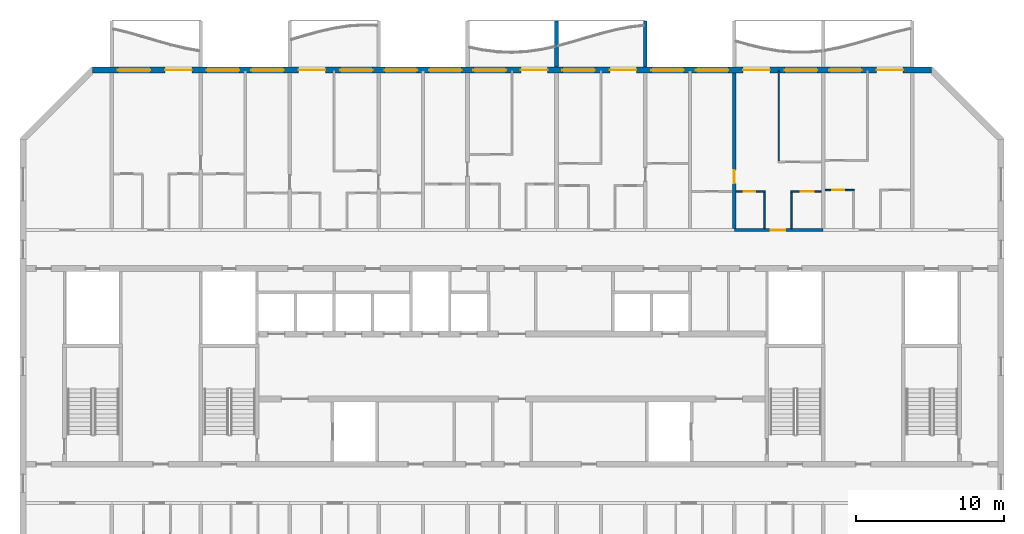
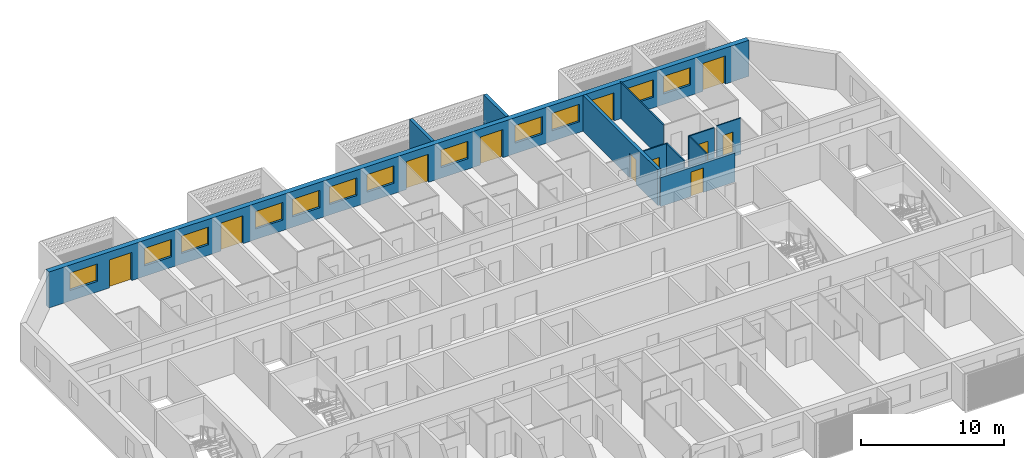
# One storey, part 10 of 26: 12 windows, 11 doors, 11 walls, 23 openings.
"""IFC4 building model written with IfcOpenShell, lengths in metres."""

from ifc_helpers import new_model, si_unit, direction, frame, frame_2d, origin, place, context, subcontext, project, spatial, polyline, rectangle, outline, extrude, source, transform, mapped, material, layer, layer_set, type_object, element, fill, save


model = new_model("IFC4")

# Units and contexts
model_context = context("Model", 3, precision=1e-05, world=origin(), true_north=direction((0.0, 1.0)))
body_context = subcontext(model_context, "Body", "Model", "MODEL_VIEW")
ifc_project = project(units=[si_unit("LENGTHUNIT", "METRE"), si_unit("AREAUNIT", "SQUARE_METRE"), si_unit("VOLUMEUNIT", "CUBIC_METRE"), si_unit("PLANEANGLEUNIT", "RADIAN"), si_unit("MASSUNIT", "GRAM", prefix="KILO")], contexts=[model_context])

# Site, building, storey
site_placement = place(None, origin())
site = spatial("IfcSite", under=ifc_project, at=site_placement, CompositionType="ELEMENT")
building_placement = place(site_placement, origin())
building = spatial("IfcBuilding", under=site, at=building_placement, Name="Poui Terraces", CompositionType="ELEMENT")
storey_placement = place(building_placement, frame((0.0, 0.0, 175.199951171875)))
storey = spatial("IfcBuildingStorey", under=building, at=storey_placement, Name="L48", CompositionType="ELEMENT", Elevation=175.199951171875)

# Wall, opening, door
ifc_material_1 = material(Name="Concrete 50 MPa", Category="concrete")
ifc_layer_1 = layer(ifc_material_1, 0.199951171875)
ifc_layer_set_1 = layer_set([ifc_layer_1], Name="Concrete 50 MPa")
wall_type_1 = type_object("IfcWallType", Name="CORRIDOR WALL 200 50MPa", PredefinedType="SHEAR", material=ifc_layer_set_1)
wall_1_placement = place(storey_placement, frame((66.0, 30.39990234375, 0.0), z_axis=(0.0, 0.0, 1.0), x_axis=(1.0, 0.0, 0.0)))
wall_1 = element("IfcWall", 1, at=wall_1_placement, inside=storey, type_object=wall_type_1, Name="CORRIDOR WALL LINE E BAY 9", PredefinedType="SHEAR", context=body_context, shape_type="SweptSolid", body=[
    extrude(rectangle(XDim=6.0, YDim=0.199951171875, at=frame_2d((3.0, 0.0))), origin(), (0.0, 0.0, 1.0), 2.47998046875),
])
opening_1_placement = place(wall_1_placement, frame((2.449951171875, 0.0, 0.0)))
opening_1 = element("IfcOpeningElement", 2, at=opening_1_placement, cuts=wall_1, Name="Opening FD30S", PredefinedType="OPENING", context=body_context, shape_type="SweptSolid", body=[
    extrude(rectangle(XDim=1.0, YDim=2.10009765625, at=frame_2d((0.5, 1.050048828125))), frame((0.0, 0.10986328125, 0.0), z_axis=(0.0, -1.0, 0.0), x_axis=(1.0, 0.0, 0.0)), (0.0, 0.0, 1.0), 0.219970703125),
])
ifc_material_2 = material(Name="Steel fire door", Category="steel")
door_type_1 = type_object("IfcDoorType", Name="FLAT ENTRANCE DOOR 1000 X 2100", OperationType="NOTDEFINED", PredefinedType="DOOR", material=ifc_material_2)
door_1_placement = place(opening_1_placement, origin())
door_1 = element("IfcDoor", 3, at=door_1_placement, inside=storey, type_object=door_type_1, Name="FLAT ENTRANCE DOOR 054", OperationType="SINGLE_SWING_LEFT", OverallHeight=2.10009765625, OverallWidth=1.0, PredefinedType="DOOR", context=body_context, shape_type="SweptSolid", body=[
    extrude(rectangle(XDim=1.0, YDim=2.10009765625, at=frame_2d((0.5, 1.050048828125))), frame((0.0, 0.02490234375, 0.0), z_axis=(0.0, -1.0, 0.0), x_axis=(1.0, 0.0, 0.0)), (0.0, 0.0, 1.0), 0.050048828125),
])
fill(opening_1, door_1)

ifc_layer_2 = layer(ifc_material_1, 0.25)
ifc_layer_set_2 = layer_set([ifc_layer_2], Name="Concrete 50 MPa")
wall_type_2 = type_object("IfcWallType", Name="CROSS WALL 250 50MPa", PredefinedType="SHEAR", material=ifc_layer_set_2)
wall_2_placement = place(storey_placement, frame((66.0, 30.5, 0.0), z_axis=(0.0, 0.0, 1.0), x_axis=(0.0, 1.0, 0.0)))
wall_2 = element("IfcWall", 4, at=wall_2_placement, inside=storey, type_object=wall_type_2, Name="CROSS WALL LINE 12 NORTH", PredefinedType="SHEAR", context=body_context, shape_type="SweptSolid", body=[
    extrude(rectangle(XDim=10.5, YDim=0.25, at=frame_2d((5.25, 0.0))), origin(), (0.0, 0.0, 1.0), 3.080078125),
])
opening_2_placement = place(wall_2_placement, frame((3.050048828125, 0.0, 0.0)))
opening_2 = element("IfcOpeningElement", 5, at=opening_2_placement, cuts=wall_2, Name="Opening D90", PredefinedType="OPENING", context=body_context, shape_type="SweptSolid", body=[
    extrude(rectangle(XDim=0.89990234375, YDim=2.10009765625, at=frame_2d((0.449951171875, 1.050048828125))), frame((0.0, 0.135009765625, 0.0), z_axis=(0.0, -1.0, 0.0), x_axis=(1.0, 0.0, 0.0)), (0.0, 0.0, 1.0), 0.27001953125),
])
ifc_material_3 = material(Name="Solid core timber door", Category="wood")
door_type_2 = type_object("IfcDoorType", Name="INTERNAL DOOR 900 X 2100", OperationType="NOTDEFINED", PredefinedType="DOOR", material=ifc_material_3)
door_2_placement = place(opening_2_placement, origin())
door_2 = element("IfcDoor", 6, at=door_2_placement, inside=storey, type_object=door_type_2, Name="INTERNAL DOOR 052", OperationType="SINGLE_SWING_LEFT", OverallHeight=2.10009765625, OverallWidth=0.89990234375, PredefinedType="DOOR", context=body_context, shape_type="SweptSolid", body=[
    extrude(rectangle(XDim=0.89990234375, YDim=2.10009765625, at=frame_2d((0.449951171875, 1.050048828125))), frame((0.0, 0.02490234375, 0.0), z_axis=(0.0, -1.0, 0.0), x_axis=(1.0, 0.0, 0.0)), (0.0, 0.0, 1.0), 0.050048828125),
])
fill(opening_2, door_2)

# Wall, openings, doors, windows
ifc_material_4 = material(Name="Precast concrete 40 MPa", Category="concrete")
ifc_layer_3 = layer(ifc_material_4, 0.39990234375)
ifc_layer_set_3 = layer_set([ifc_layer_3], Name="Precast concrete 40 MPa")
wall_type_3 = type_object("IfcWallType", Name="EXTERNAL WALL 400", PredefinedType="STANDARD", material=ifc_layer_set_3)
wall_3_placement = place(storey_placement, frame((79.317138671875, 41.199951171875, 0.0), z_axis=(0.0, 0.0, 1.0), x_axis=(-1.0, 0.0, 0.0)))
wall_3 = element("IfcWall", 7, at=wall_3_placement, inside=storey, type_object=wall_type_3, Name="EXTERNAL WALL N", PredefinedType="STANDARD", context=body_context, shape_type="SweptSolid", body=[
    extrude(rectangle(XDim=56.63427734375, YDim=0.39990234375, at=frame_2d((28.317138671875, 0.0))), origin(), (0.0, 0.0, 1.0), 3.080078125),
])
opening_3_placement = place(wall_3_placement, frame((52.71728515625, 0.0, 0.89990234375)))
opening_3 = element("IfcOpeningElement", 8, at=opening_3_placement, cuts=wall_3, Name="Opening W1", PredefinedType="OPENING", context=body_context, shape_type="SweptSolid", body=[
    extrude(rectangle(XDim=2.199951171875, YDim=1.5, at=frame_2d((1.10009765625, 0.75))), frame((0.0, 0.2099609375, 0.0), z_axis=(0.0, -1.0, 0.0), x_axis=(1.0, 0.0, 0.0)), (0.0, 0.0, 1.0), 0.419921875),
])
opening_4_placement = place(wall_3_placement, frame((49.917236328125, 0.0, 0.0)))
opening_4 = element("IfcOpeningElement", 9, at=opening_4_placement, cuts=wall_3, Name="Opening BD1", PredefinedType="OPENING", context=body_context, shape_type="SweptSolid", body=[
    extrude(rectangle(XDim=1.800048828125, YDim=2.39990234375, at=frame_2d((0.89990234375, 1.199951171875))), frame((0.0, 0.2099609375, 0.0), z_axis=(0.0, -1.0, 0.0), x_axis=(1.0, 0.0, 0.0)), (0.0, 0.0, 1.0), 0.419921875),
])
opening_5_placement = place(wall_3_placement, frame((46.71728515625, 0.0, 0.89990234375)))
opening_5 = element("IfcOpeningElement", 10, at=opening_5_placement, cuts=wall_3, Name="Opening W1", PredefinedType="OPENING", context=body_context, shape_type="SweptSolid", body=[
    extrude(rectangle(XDim=2.199951171875, YDim=1.5, at=frame_2d((1.10009765625, 0.75))), frame((0.0, 0.2099609375, 0.0), z_axis=(0.0, -1.0, 0.0), x_axis=(1.0, 0.0, 0.0)), (0.0, 0.0, 1.0), 0.419921875),
])
opening_6_placement = place(wall_3_placement, frame((43.71728515625, 0.0, 0.89990234375)))
opening_6 = element("IfcOpeningElement", 11, at=opening_6_placement, cuts=wall_3, Name="Opening W1", PredefinedType="OPENING", context=body_context, shape_type="SweptSolid", body=[
    extrude(rectangle(XDim=2.199951171875, YDim=1.5, at=frame_2d((1.10009765625, 0.75))), frame((0.0, 0.2099609375, 0.0), z_axis=(0.0, -1.0, 0.0), x_axis=(1.0, 0.0, 0.0)), (0.0, 0.0, 1.0), 0.419921875),
])
opening_7_placement = place(wall_3_placement, frame((40.917236328125, 0.0, 0.0)))
opening_7 = element("IfcOpeningElement", 12, at=opening_7_placement, cuts=wall_3, Name="Opening BD1", PredefinedType="OPENING", context=body_context, shape_type="SweptSolid", body=[
    extrude(rectangle(XDim=1.800048828125, YDim=2.39990234375, at=frame_2d((0.89990234375, 1.199951171875))), frame((0.0, 0.2099609375, 0.0), z_axis=(0.0, -1.0, 0.0), x_axis=(1.0, 0.0, 0.0)), (0.0, 0.0, 1.0), 0.419921875),
])
opening_8_placement = place(wall_3_placement, frame((37.71728515625, 0.0, 0.89990234375)))
opening_8 = element("IfcOpeningElement", 13, at=opening_8_placement, cuts=wall_3, Name="Opening W1", PredefinedType="OPENING", context=body_context, shape_type="SweptSolid", body=[
    extrude(rectangle(XDim=2.199951171875, YDim=1.5, at=frame_2d((1.10009765625, 0.75))), frame((0.0, 0.2099609375, 0.0), z_axis=(0.0, -1.0, 0.0), x_axis=(1.0, 0.0, 0.0)), (0.0, 0.0, 1.0), 0.419921875),
])
opening_9_placement = place(wall_3_placement, frame((34.71728515625, 0.0, 0.89990234375)))
opening_9 = element("IfcOpeningElement", 14, at=opening_9_placement, cuts=wall_3, Name="Opening W1", PredefinedType="OPENING", context=body_context, shape_type="SweptSolid", body=[
    extrude(rectangle(XDim=2.199951171875, YDim=1.5, at=frame_2d((1.10009765625, 0.75))), frame((0.0, 0.2099609375, 0.0), z_axis=(0.0, -1.0, 0.0), x_axis=(1.0, 0.0, 0.0)), (0.0, 0.0, 1.0), 0.419921875),
])
opening_10_placement = place(wall_3_placement, frame((31.71728515625, 0.0, 0.89990234375)))
opening_10 = element("IfcOpeningElement", 15, at=opening_10_placement, cuts=wall_3, Name="Opening W1", PredefinedType="OPENING", context=body_context, shape_type="SweptSolid", body=[
    extrude(rectangle(XDim=2.199951171875, YDim=1.5, at=frame_2d((1.10009765625, 0.75))), frame((0.0, 0.2099609375, 0.0), z_axis=(0.0, -1.0, 0.0), x_axis=(1.0, 0.0, 0.0)), (0.0, 0.0, 1.0), 0.419921875),
])
opening_11_placement = place(wall_3_placement, frame((28.71728515625, 0.0, 0.89990234375)))
opening_11 = element("IfcOpeningElement", 16, at=opening_11_placement, cuts=wall_3, Name="Opening W1", PredefinedType="OPENING", context=body_context, shape_type="SweptSolid", body=[
    extrude(rectangle(XDim=2.199951171875, YDim=1.5, at=frame_2d((1.10009765625, 0.75))), frame((0.0, 0.2099609375, 0.0), z_axis=(0.0, -1.0, 0.0), x_axis=(1.0, 0.0, 0.0)), (0.0, 0.0, 1.0), 0.419921875),
])
opening_12_placement = place(wall_3_placement, frame((25.917236328125, 0.0, 0.0)))
opening_12 = element("IfcOpeningElement", 17, at=opening_12_placement, cuts=wall_3, Name="Opening BD1", PredefinedType="OPENING", context=body_context, shape_type="SweptSolid", body=[
    extrude(rectangle(XDim=1.800048828125, YDim=2.39990234375, at=frame_2d((0.89990234375, 1.199951171875))), frame((0.0, 0.2099609375, 0.0), z_axis=(0.0, -1.0, 0.0), x_axis=(1.0, 0.0, 0.0)), (0.0, 0.0, 1.0), 0.419921875),
])
opening_13_placement = place(wall_3_placement, frame((22.71728515625, 0.0, 0.89990234375)))
opening_13 = element("IfcOpeningElement", 18, at=opening_13_placement, cuts=wall_3, Name="Opening W1", PredefinedType="OPENING", context=body_context, shape_type="SweptSolid", body=[
    extrude(rectangle(XDim=2.199951171875, YDim=1.5, at=frame_2d((1.10009765625, 0.75))), frame((0.0, 0.2099609375, 0.0), z_axis=(0.0, -1.0, 0.0), x_axis=(1.0, 0.0, 0.0)), (0.0, 0.0, 1.0), 0.419921875),
])
opening_14_placement = place(wall_3_placement, frame((19.917236328125, 0.0, 0.0)))
opening_14 = element("IfcOpeningElement", 19, at=opening_14_placement, cuts=wall_3, Name="Opening BD1", PredefinedType="OPENING", context=body_context, shape_type="SweptSolid", body=[
    extrude(rectangle(XDim=1.800048828125, YDim=2.39990234375, at=frame_2d((0.89990234375, 1.199951171875))), frame((0.0, 0.2099609375, 0.0), z_axis=(0.0, -1.0, 0.0), x_axis=(1.0, 0.0, 0.0)), (0.0, 0.0, 1.0), 0.419921875),
])
opening_15_placement = place(wall_3_placement, frame((16.71728515625, 0.0, 0.89990234375)))
opening_15 = element("IfcOpeningElement", 20, at=opening_15_placement, cuts=wall_3, Name="Opening W1", PredefinedType="OPENING", context=body_context, shape_type="SweptSolid", body=[
    extrude(rectangle(XDim=2.199951171875, YDim=1.5, at=frame_2d((1.10009765625, 0.75))), frame((0.0, 0.2099609375, 0.0), z_axis=(0.0, -1.0, 0.0), x_axis=(1.0, 0.0, 0.0)), (0.0, 0.0, 1.0), 0.419921875),
])
opening_16_placement = place(wall_3_placement, frame((13.71728515625, 0.0, 0.89990234375)))
opening_16 = element("IfcOpeningElement", 21, at=opening_16_placement, cuts=wall_3, Name="Opening W1", PredefinedType="OPENING", context=body_context, shape_type="SweptSolid", body=[
    extrude(rectangle(XDim=2.199951171875, YDim=1.5, at=frame_2d((1.10009765625, 0.75))), frame((0.0, 0.2099609375, 0.0), z_axis=(0.0, -1.0, 0.0), x_axis=(1.0, 0.0, 0.0)), (0.0, 0.0, 1.0), 0.419921875),
])
opening_17_placement = place(wall_3_placement, frame((10.917236328125, 0.0, 0.0)))
opening_17 = element("IfcOpeningElement", 22, at=opening_17_placement, cuts=wall_3, Name="Opening BD1", PredefinedType="OPENING", context=body_context, shape_type="SweptSolid", body=[
    extrude(rectangle(XDim=1.800048828125, YDim=2.39990234375, at=frame_2d((0.89990234375, 1.199951171875))), frame((0.0, 0.2099609375, 0.0), z_axis=(0.0, -1.0, 0.0), x_axis=(1.0, 0.0, 0.0)), (0.0, 0.0, 1.0), 0.419921875),
])
opening_18_placement = place(wall_3_placement, frame((7.71728515625, 0.0, 0.89990234375)))
opening_18 = element("IfcOpeningElement", 23, at=opening_18_placement, cuts=wall_3, Name="Opening W1", PredefinedType="OPENING", context=body_context, shape_type="SweptSolid", body=[
    extrude(rectangle(XDim=2.199951171875, YDim=1.5, at=frame_2d((1.10009765625, 0.75))), frame((0.0, 0.2099609375, 0.0), z_axis=(0.0, -1.0, 0.0), x_axis=(1.0, 0.0, 0.0)), (0.0, 0.0, 1.0), 0.419921875),
])
opening_19_placement = place(wall_3_placement, frame((4.71728515625, 0.0, 0.89990234375)))
opening_19 = element("IfcOpeningElement", 24, at=opening_19_placement, cuts=wall_3, Name="Opening W1", PredefinedType="OPENING", context=body_context, shape_type="SweptSolid", body=[
    extrude(rectangle(XDim=2.199951171875, YDim=1.5, at=frame_2d((1.10009765625, 0.75))), frame((0.0, 0.2099609375, 0.0), z_axis=(0.0, -1.0, 0.0), x_axis=(1.0, 0.0, 0.0)), (0.0, 0.0, 1.0), 0.419921875),
])
opening_20_placement = place(wall_3_placement, frame((1.917236328125, 0.0, 0.0)))
opening_20 = element("IfcOpeningElement", 25, at=opening_20_placement, cuts=wall_3, Name="Opening BD1", PredefinedType="OPENING", context=body_context, shape_type="SweptSolid", body=[
    extrude(rectangle(XDim=1.800048828125, YDim=2.39990234375, at=frame_2d((0.89990234375, 1.199951171875))), frame((0.0, 0.2099609375, 0.0), z_axis=(0.0, -1.0, 0.0), x_axis=(1.0, 0.0, 0.0)), (0.0, 0.0, 1.0), 0.419921875),
])
ifc_material_5 = material(Name="Clear glass in aluminium frame", Category="aluminium")
door_type_3 = type_object("IfcDoorType", Name="BALCONY DOOR 1800X2400", OperationType="DOUBLE_DOOR_SLIDING", PredefinedType="DOOR", material=ifc_material_5)
door_3_placement = place(opening_4_placement, origin())
door_3 = element("IfcDoor", 26, at=door_3_placement, inside=storey, type_object=door_type_3, Name="BD1 BALCONY DOOR", OperationType="DOUBLE_DOOR_SLIDING", OverallHeight=2.39990234375, OverallWidth=1.800048828125, PredefinedType="DOOR", context=body_context, shape_type="SweptSolid", body=[
    extrude(rectangle(XDim=1.800048828125, YDim=2.39990234375, at=frame_2d((0.89990234375, 1.199951171875))), frame((0.0, 0.02490234375, 0.0), z_axis=(0.0, -1.0, 0.0), x_axis=(1.0, 0.0, 0.0)), (0.0, 0.0, 1.0), 0.050048828125),
])
fill(opening_4, door_3)
door_4_placement = place(opening_7_placement, origin())
door_4 = element("IfcDoor", 27, at=door_4_placement, inside=storey, type_object=door_type_3, Name="BD1 BALCONY DOOR", OperationType="DOUBLE_DOOR_SLIDING", OverallHeight=2.39990234375, OverallWidth=1.800048828125, PredefinedType="DOOR", context=body_context, shape_type="SweptSolid", body=[
    extrude(rectangle(XDim=1.800048828125, YDim=2.39990234375, at=frame_2d((0.89990234375, 1.199951171875))), frame((0.0, 0.02490234375, 0.0), z_axis=(0.0, -1.0, 0.0), x_axis=(1.0, 0.0, 0.0)), (0.0, 0.0, 1.0), 0.050048828125),
])
fill(opening_7, door_4)
door_5_placement = place(opening_12_placement, origin())
door_5 = element("IfcDoor", 28, at=door_5_placement, inside=storey, type_object=door_type_3, Name="BD1 BALCONY DOOR", OperationType="DOUBLE_DOOR_SLIDING", OverallHeight=2.39990234375, OverallWidth=1.800048828125, PredefinedType="DOOR", context=body_context, shape_type="SweptSolid", body=[
    extrude(rectangle(XDim=1.800048828125, YDim=2.39990234375, at=frame_2d((0.89990234375, 1.199951171875))), frame((0.0, 0.02490234375, 0.0), z_axis=(0.0, -1.0, 0.0), x_axis=(1.0, 0.0, 0.0)), (0.0, 0.0, 1.0), 0.050048828125),
])
fill(opening_12, door_5)
door_6_placement = place(opening_14_placement, origin())
door_6 = element("IfcDoor", 29, at=door_6_placement, inside=storey, type_object=door_type_3, Name="BD1 BALCONY DOOR", OperationType="DOUBLE_DOOR_SLIDING", OverallHeight=2.39990234375, OverallWidth=1.800048828125, PredefinedType="DOOR", context=body_context, shape_type="SweptSolid", body=[
    extrude(rectangle(XDim=1.800048828125, YDim=2.39990234375, at=frame_2d((0.89990234375, 1.199951171875))), frame((0.0, 0.02490234375, 0.0), z_axis=(0.0, -1.0, 0.0), x_axis=(1.0, 0.0, 0.0)), (0.0, 0.0, 1.0), 0.050048828125),
])
fill(opening_14, door_6)
door_7_placement = place(opening_17_placement, origin())
door_7 = element("IfcDoor", 30, at=door_7_placement, inside=storey, type_object=door_type_3, Name="BD1 BALCONY DOOR", OperationType="DOUBLE_DOOR_SLIDING", OverallHeight=2.39990234375, OverallWidth=1.800048828125, PredefinedType="DOOR", context=body_context, shape_type="SweptSolid", body=[
    extrude(rectangle(XDim=1.800048828125, YDim=2.39990234375, at=frame_2d((0.89990234375, 1.199951171875))), frame((0.0, 0.02490234375, 0.0), z_axis=(0.0, -1.0, 0.0), x_axis=(1.0, 0.0, 0.0)), (0.0, 0.0, 1.0), 0.050048828125),
])
fill(opening_17, door_7)
door_8_placement = place(opening_20_placement, origin())
door_8 = element("IfcDoor", 31, at=door_8_placement, inside=storey, type_object=door_type_3, Name="BD1 BALCONY DOOR", OperationType="DOUBLE_DOOR_SLIDING", OverallHeight=2.39990234375, OverallWidth=1.800048828125, PredefinedType="DOOR", context=body_context, shape_type="SweptSolid", body=[
    extrude(rectangle(XDim=1.800048828125, YDim=2.39990234375, at=frame_2d((0.89990234375, 1.199951171875))), frame((0.0, 0.02490234375, 0.0), z_axis=(0.0, -1.0, 0.0), x_axis=(1.0, 0.0, 0.0)), (0.0, 0.0, 1.0), 0.050048828125),
])
fill(opening_20, door_8)
window_type = type_object("IfcWindowType", Name="WINDOW 2200X1500", PartitioningType="DOUBLE_PANEL_HORIZONTAL", PredefinedType="WINDOW", material=ifc_material_5)
window_1_placement = place(opening_3_placement, origin())
window_1 = element("IfcWindow", 32, at=window_1_placement, inside=storey, type_object=window_type, Name="W1 WINDOW", OverallHeight=1.5, OverallWidth=2.199951171875, PartitioningType="DOUBLE_PANEL_HORIZONTAL", PredefinedType="WINDOW", context=body_context, shape_type="SweptSolid", body=[
    extrude(rectangle(XDim=2.199951171875, YDim=1.5, at=frame_2d((1.10009765625, 0.75))), frame((0.0, 0.030029296875, 0.0), z_axis=(0.0, -1.0, 0.0), x_axis=(1.0, 0.0, 0.0)), (0.0, 0.0, 1.0), 0.06005859375),
])
fill(opening_3, window_1)
window_2_placement = place(opening_5_placement, origin())
window_2 = element("IfcWindow", 33, at=window_2_placement, inside=storey, type_object=window_type, Name="W1 WINDOW", OverallHeight=1.5, OverallWidth=2.199951171875, PartitioningType="DOUBLE_PANEL_HORIZONTAL", PredefinedType="WINDOW", context=body_context, shape_type="SweptSolid", body=[
    extrude(rectangle(XDim=2.199951171875, YDim=1.5, at=frame_2d((1.10009765625, 0.75))), frame((0.0, 0.030029296875, 0.0), z_axis=(0.0, -1.0, 0.0), x_axis=(1.0, 0.0, 0.0)), (0.0, 0.0, 1.0), 0.06005859375),
])
fill(opening_5, window_2)
window_3_placement = place(opening_6_placement, origin())
window_3 = element("IfcWindow", 34, at=window_3_placement, inside=storey, type_object=window_type, Name="W1 WINDOW", OverallHeight=1.5, OverallWidth=2.199951171875, PartitioningType="DOUBLE_PANEL_HORIZONTAL", PredefinedType="WINDOW", context=body_context, shape_type="SweptSolid", body=[
    extrude(rectangle(XDim=2.199951171875, YDim=1.5, at=frame_2d((1.10009765625, 0.75))), frame((0.0, 0.030029296875, 0.0), z_axis=(0.0, -1.0, 0.0), x_axis=(1.0, 0.0, 0.0)), (0.0, 0.0, 1.0), 0.06005859375),
])
fill(opening_6, window_3)
window_4_placement = place(opening_8_placement, origin())
window_4 = element("IfcWindow", 35, at=window_4_placement, inside=storey, type_object=window_type, Name="W1 WINDOW", OverallHeight=1.5, OverallWidth=2.199951171875, PartitioningType="DOUBLE_PANEL_HORIZONTAL", PredefinedType="WINDOW", context=body_context, shape_type="SweptSolid", body=[
    extrude(rectangle(XDim=2.199951171875, YDim=1.5, at=frame_2d((1.10009765625, 0.75))), frame((0.0, 0.030029296875, 0.0), z_axis=(0.0, -1.0, 0.0), x_axis=(1.0, 0.0, 0.0)), (0.0, 0.0, 1.0), 0.06005859375),
])
fill(opening_8, window_4)
window_5_placement = place(opening_9_placement, origin())
window_5 = element("IfcWindow", 36, at=window_5_placement, inside=storey, type_object=window_type, Name="W1 WINDOW", OverallHeight=1.5, OverallWidth=2.199951171875, PartitioningType="DOUBLE_PANEL_HORIZONTAL", PredefinedType="WINDOW", context=body_context, shape_type="SweptSolid", body=[
    extrude(rectangle(XDim=2.199951171875, YDim=1.5, at=frame_2d((1.10009765625, 0.75))), frame((0.0, 0.030029296875, 0.0), z_axis=(0.0, -1.0, 0.0), x_axis=(1.0, 0.0, 0.0)), (0.0, 0.0, 1.0), 0.06005859375),
])
fill(opening_9, window_5)
window_6_placement = place(opening_10_placement, origin())
window_6 = element("IfcWindow", 37, at=window_6_placement, inside=storey, type_object=window_type, Name="W1 WINDOW", OverallHeight=1.5, OverallWidth=2.199951171875, PartitioningType="DOUBLE_PANEL_HORIZONTAL", PredefinedType="WINDOW", context=body_context, shape_type="SweptSolid", body=[
    extrude(rectangle(XDim=2.199951171875, YDim=1.5, at=frame_2d((1.10009765625, 0.75))), frame((0.0, 0.030029296875, 0.0), z_axis=(0.0, -1.0, 0.0), x_axis=(1.0, 0.0, 0.0)), (0.0, 0.0, 1.0), 0.06005859375),
])
fill(opening_10, window_6)
window_7_placement = place(opening_11_placement, origin())
window_7 = element("IfcWindow", 38, at=window_7_placement, inside=storey, type_object=window_type, Name="W1 WINDOW", OverallHeight=1.5, OverallWidth=2.199951171875, PartitioningType="DOUBLE_PANEL_HORIZONTAL", PredefinedType="WINDOW", context=body_context, shape_type="SweptSolid", body=[
    extrude(rectangle(XDim=2.199951171875, YDim=1.5, at=frame_2d((1.10009765625, 0.75))), frame((0.0, 0.030029296875, 0.0), z_axis=(0.0, -1.0, 0.0), x_axis=(1.0, 0.0, 0.0)), (0.0, 0.0, 1.0), 0.06005859375),
])
fill(opening_11, window_7)
window_8_placement = place(opening_13_placement, origin())
window_8 = element("IfcWindow", 39, at=window_8_placement, inside=storey, type_object=window_type, Name="W1 WINDOW", OverallHeight=1.5, OverallWidth=2.199951171875, PartitioningType="DOUBLE_PANEL_HORIZONTAL", PredefinedType="WINDOW", context=body_context, shape_type="SweptSolid", body=[
    extrude(rectangle(XDim=2.199951171875, YDim=1.5, at=frame_2d((1.10009765625, 0.75))), frame((0.0, 0.030029296875, 0.0), z_axis=(0.0, -1.0, 0.0), x_axis=(1.0, 0.0, 0.0)), (0.0, 0.0, 1.0), 0.06005859375),
])
fill(opening_13, window_8)
window_9_placement = place(opening_15_placement, origin())
window_9 = element("IfcWindow", 40, at=window_9_placement, inside=storey, type_object=window_type, Name="W1 WINDOW", OverallHeight=1.5, OverallWidth=2.199951171875, PartitioningType="DOUBLE_PANEL_HORIZONTAL", PredefinedType="WINDOW", context=body_context, shape_type="SweptSolid", body=[
    extrude(rectangle(XDim=2.199951171875, YDim=1.5, at=frame_2d((1.10009765625, 0.75))), frame((0.0, 0.030029296875, 0.0), z_axis=(0.0, -1.0, 0.0), x_axis=(1.0, 0.0, 0.0)), (0.0, 0.0, 1.0), 0.06005859375),
])
fill(opening_15, window_9)
window_10_placement = place(opening_16_placement, origin())
window_10 = element("IfcWindow", 41, at=window_10_placement, inside=storey, type_object=window_type, Name="W1 WINDOW", OverallHeight=1.5, OverallWidth=2.199951171875, PartitioningType="DOUBLE_PANEL_HORIZONTAL", PredefinedType="WINDOW", context=body_context, shape_type="SweptSolid", body=[
    extrude(rectangle(XDim=2.199951171875, YDim=1.5, at=frame_2d((1.10009765625, 0.75))), frame((0.0, 0.030029296875, 0.0), z_axis=(0.0, -1.0, 0.0), x_axis=(1.0, 0.0, 0.0)), (0.0, 0.0, 1.0), 0.06005859375),
])
fill(opening_16, window_10)
window_11_placement = place(opening_18_placement, origin())
window_11 = element("IfcWindow", 42, at=window_11_placement, inside=storey, type_object=window_type, Name="W1 WINDOW", OverallHeight=1.5, OverallWidth=2.199951171875, PartitioningType="DOUBLE_PANEL_HORIZONTAL", PredefinedType="WINDOW", context=body_context, shape_type="SweptSolid", body=[
    extrude(rectangle(XDim=2.199951171875, YDim=1.5, at=frame_2d((1.10009765625, 0.75))), frame((0.0, 0.030029296875, 0.0), z_axis=(0.0, -1.0, 0.0), x_axis=(1.0, 0.0, 0.0)), (0.0, 0.0, 1.0), 0.06005859375),
])
fill(opening_18, window_11)
window_12_placement = place(opening_19_placement, origin())
window_12 = element("IfcWindow", 43, at=window_12_placement, inside=storey, type_object=window_type, Name="W1 WINDOW", OverallHeight=1.5, OverallWidth=2.199951171875, PartitioningType="DOUBLE_PANEL_HORIZONTAL", PredefinedType="WINDOW", context=body_context, shape_type="SweptSolid", body=[
    extrude(rectangle(XDim=2.199951171875, YDim=1.5, at=frame_2d((1.10009765625, 0.75))), frame((0.0, 0.030029296875, 0.0), z_axis=(0.0, -1.0, 0.0), x_axis=(1.0, 0.0, 0.0)), (0.0, 0.0, 1.0), 0.06005859375),
])
fill(opening_19, window_12)

# Wall, opening, door
ifc_material_6 = material(Name="Plasterboard partition")
ifc_layer_4 = layer(ifc_material_6, 0.10009765625)
ifc_layer_set_4 = layer_set([ifc_layer_4], Name="Plasterboard partition")
wall_type_4 = type_object("IfcWallType", Name="FLAT PARTITION 100", PredefinedType="PARTITIONING", material=ifc_layer_set_4)
wall_4_placement = place(storey_placement, frame((66.135009765625, 33.0, 0.0), z_axis=(0.0, 0.0, 1.0), x_axis=(1.0, 0.0, 0.0)))
wall_4 = element("IfcWall", 44, at=wall_4_placement, inside=storey, type_object=wall_type_4, Name="FLAT PARTITION 100", PredefinedType="PARTITIONING", context=body_context, shape_type="SweptSolid", body=[
    extrude(rectangle(XDim=1.965087890625, YDim=0.10009765625, at=frame_2d((0.982421875, 0.0))), origin(), (0.0, 0.0, 1.0), 3.080078125),
])
opening_21_placement = place(wall_4_placement, frame((0.489990234375, 0.0, 0.0)))
opening_21 = element("IfcOpeningElement", 45, at=opening_21_placement, cuts=wall_4, Name="Opening D80", PredefinedType="OPENING", context=body_context, shape_type="SweptSolid", body=[
    extrude(rectangle(XDim=0.800048828125, YDim=2.10009765625, at=frame_2d((0.39990234375, 1.050048828125))), frame((0.0, 0.06005859375, 0.0), z_axis=(0.0, -1.0, 0.0), x_axis=(1.0, 0.0, 0.0)), (0.0, 0.0, 1.0), 0.1201171875),
])
door_type_4 = type_object("IfcDoorType", Name="BATHROOM, LAUNDRY AND STORE DOOR 800 X 2100", OperationType="NOTDEFINED", PredefinedType="DOOR", material=ifc_material_3)
door_9_placement = place(opening_21_placement, frame((0.800048828125, 0.0, 0.0), z_axis=(0.0, 0.0, 1.0), x_axis=(-1.0, 0.0, 0.0)))
door_9 = element("IfcDoor", 46, at=door_9_placement, inside=storey, type_object=door_type_4, Name="BATHROOM, LAUNDRY AND STORE DOOR 053", OperationType="SINGLE_SWING_LEFT", OverallHeight=2.10009765625, OverallWidth=0.800048828125, PredefinedType="DOOR", context=body_context, shape_type="SweptSolid", body=[
    extrude(rectangle(XDim=0.800048828125, YDim=2.10009765625, at=frame_2d((0.39990234375, 1.050048828125))), frame((0.0, 0.02490234375, 0.0), z_axis=(0.0, -1.0, 0.0), x_axis=(1.0, 0.0, 0.0)), (0.0, 0.0, 1.0), 0.050048828125),
])
fill(opening_21, door_9)

wall_5_placement = place(storey_placement, frame((69.800048828125, 33.0, 0.0), z_axis=(0.0, 0.0, 1.0), x_axis=(1.0, 0.0, 0.0)))
wall_5 = element("IfcWall", 47, at=wall_5_placement, inside=storey, type_object=wall_type_4, Name="FLAT PARTITION 100", PredefinedType="PARTITIONING", context=body_context, shape_type="SweptSolid", body=[
    extrude(rectangle(XDim=2.06494140625, YDim=0.10009765625, at=frame_2d((1.032470703125, 0.0))), origin(), (0.0, 0.0, 1.0), 3.080078125),
])
opening_22_placement = place(wall_5_placement, frame((0.675048828125, 0.0, 0.0)))
opening_22 = element("IfcOpeningElement", 48, at=opening_22_placement, cuts=wall_5, Name="Opening D90", PredefinedType="OPENING", context=body_context, shape_type="SweptSolid", body=[
    extrude(rectangle(XDim=0.89990234375, YDim=2.10009765625, at=frame_2d((0.449951171875, 1.050048828125))), frame((0.0, 0.06005859375, 0.0), z_axis=(0.0, -1.0, 0.0), x_axis=(1.0, 0.0, 0.0)), (0.0, 0.0, 1.0), 0.1201171875),
])
door_10_placement = place(opening_22_placement, frame((0.89990234375, 0.0, 0.0), z_axis=(0.0, 0.0, 1.0), x_axis=(-1.0, 0.0, 0.0)))
door_10 = element("IfcDoor", 49, at=door_10_placement, inside=storey, type_object=door_type_2, Name="INTERNAL DOOR 056", OperationType="SINGLE_SWING_RIGHT", OverallHeight=2.10009765625, OverallWidth=0.89990234375, PredefinedType="DOOR", context=body_context, shape_type="SweptSolid", body=[
    extrude(rectangle(XDim=0.89990234375, YDim=2.10009765625, at=frame_2d((0.449951171875, 1.050048828125))), frame((0.0, 0.02490234375, 0.0), z_axis=(0.0, -1.0, 0.0), x_axis=(1.0, 0.0, 0.0)), (0.0, 0.0, 1.0), 0.050048828125),
])
fill(opening_22, door_10)

wall_6_placement = place(storey_placement, frame((72.135009765625, 33.10009765625, 0.0), z_axis=(0.0, 0.0, 1.0), x_axis=(1.0, 0.0, 0.0)))
wall_6 = element("IfcWall", 50, at=wall_6_placement, inside=storey, type_object=wall_type_4, Name="FLAT PARTITION 100", PredefinedType="PARTITIONING", context=body_context, shape_type="SweptSolid", body=[
    extrude(rectangle(XDim=1.965087890625, YDim=0.10009765625, at=frame_2d((0.982421875, 0.0))), origin(), (0.0, 0.0, 1.0), 3.080078125),
])
opening_23_placement = place(wall_6_placement, frame((0.489990234375, 0.0, 0.0)))
opening_23 = element("IfcOpeningElement", 51, at=opening_23_placement, cuts=wall_6, Name="Opening D80", PredefinedType="OPENING", context=body_context, shape_type="SweptSolid", body=[
    extrude(rectangle(XDim=0.800048828125, YDim=2.10009765625, at=frame_2d((0.39990234375, 1.050048828125))), frame((0.0, 0.06005859375, 0.0), z_axis=(0.0, -1.0, 0.0), x_axis=(1.0, 0.0, 0.0)), (0.0, 0.0, 1.0), 0.1201171875),
])
door_11_placement = place(opening_23_placement, frame((0.800048828125, 0.0, 0.0), z_axis=(0.0, 0.0, 1.0), x_axis=(-1.0, 0.0, 0.0)))
door_11 = element("IfcDoor", 52, at=door_11_placement, inside=storey, type_object=door_type_4, Name="BATHROOM, LAUNDRY AND STORE DOOR 058", OperationType="SINGLE_SWING_RIGHT", OverallHeight=2.10009765625, OverallWidth=0.800048828125, PredefinedType="DOOR", context=body_context, shape_type="SweptSolid", body=[
    extrude(rectangle(XDim=0.800048828125, YDim=2.10009765625, at=frame_2d((0.39990234375, 1.050048828125))), frame((0.0, 0.02490234375, 0.0), z_axis=(0.0, -1.0, 0.0), x_axis=(1.0, 0.0, 0.0)), (0.0, 0.0, 1.0), 0.050048828125),
])
fill(opening_23, door_11)

# Walls
wall_7_placement = place(storey_placement, frame((68.050048828125, 30.510009765625, 0.0), z_axis=(0.0, 0.0, 1.0), x_axis=(0.0, 1.0, 0.0)))
element("IfcWall", 53, at=wall_7_placement, inside=storey, type_object=wall_type_4, Name="FLAT PARTITION 100", PredefinedType="PARTITIONING", context=body_context, shape_type="SweptSolid", body=[
    extrude(rectangle(XDim=2.43994140625, YDim=0.10009765625, at=frame_2d((1.219970703125, 0.0))), origin(), (0.0, 0.0, 1.0), 3.080078125),
])
wall_8_placement = place(storey_placement, frame((69.0, 35.050048828125, 0.0), z_axis=(0.0, 0.0, 1.0), x_axis=(0.0, 1.0, 0.0)))
element("IfcWall", 54, at=wall_8_placement, inside=storey, type_object=wall_type_4, Name="FLAT PARTITION 100", PredefinedType="PARTITIONING", context=body_context, shape_type="SweptSolid", body=[
    extrude(rectangle(XDim=6.08984375, YDim=0.10009765625, at=frame_2d((3.044921875, 0.0))), origin(), (0.0, 0.0, 1.0), 3.080078125),
])
wall_9_placement = place(storey_placement, frame((69.85009765625, 30.510009765625, 0.0), z_axis=(0.0, 0.0, 1.0), x_axis=(0.0, 1.0, 0.0)))
element("IfcWall", 55, at=wall_9_placement, inside=storey, type_object=wall_type_4, Name="FLAT PARTITION 100", PredefinedType="PARTITIONING", context=body_context, shape_type="SweptSolid", body=[
    extrude(rectangle(XDim=2.43994140625, YDim=0.10009765625, at=frame_2d((1.219970703125, 0.0))), origin(), (0.0, 0.0, 1.0), 3.080078125),
])
ifc_layer_5 = layer(ifc_material_4, 0.25)
ifc_layer_set_5 = layer_set([ifc_layer_5], Name="Precast concrete 40 MPa")
wall_type_5 = type_object("IfcWallType", Name="BALCONY FIN 250", PredefinedType="STANDARD", material=ifc_layer_set_5)
shared_shape = source(origin(), body_context, "Body", "SweptSolid", [
    extrude(outline(polyline([(0.0, 0.0), (0.25, 0.0), (0.25, 3.10009765625), (0.0, 3.10009765625), (0.0, 0.0)])), origin(), (0.0, 0.0, 1.0), 3.10009765625),
])
for number, where, name in (
    (56, (53.875, 41.39990234375, 0.0), "BALCONY FIN"),
    (57, (59.875, 41.39990234375, 0.0), "BALCONY FIN"),
):
    element("IfcWall", number, at=place(storey_placement, frame(where)), inside=storey, type_object=wall_type_5, Name=name, PredefinedType="STANDARD", context=body_context, shape_type="MappedRepresentation", body=[
        mapped(shared_shape, transform((0.0, 0.0, 0.0))),
    ])

save(model, "model.ifc")
